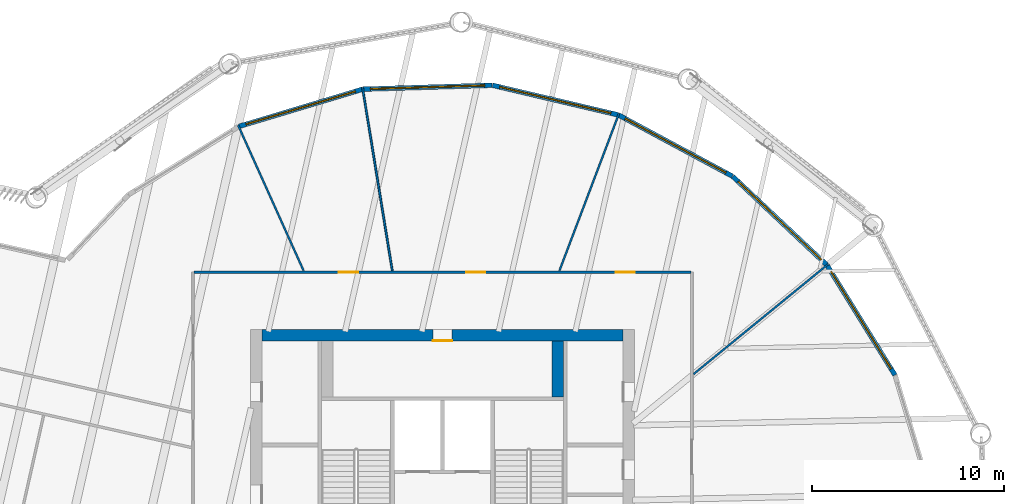
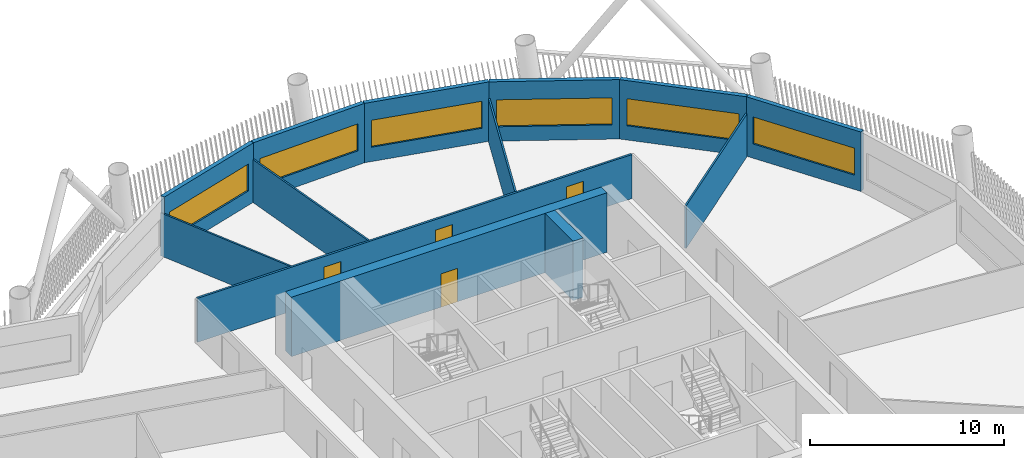
# One storey, part 7 of 23: 13 walls, 6 windows, 4 doors, 10 openings.
"""IFC4 building model written with IfcOpenShell, lengths in metres."""

from ifc_helpers import new_model, si_unit, direction, frame, frame_2d, origin, place, context, subcontext, project, spatial, rectangle, extrude, material, layer, layer_set, type_object, element, fill, save


model = new_model("IFC4")

# Units and contexts
model_context = context("Model", 3, precision=1e-05, world=origin(), true_north=direction((0.0, 1.0)))
body_context = subcontext(model_context, "Body", "Model", "MODEL_VIEW")
ifc_project = project(units=[si_unit("LENGTHUNIT", "METRE"), si_unit("AREAUNIT", "SQUARE_METRE"), si_unit("VOLUMEUNIT", "CUBIC_METRE"), si_unit("PLANEANGLEUNIT", "RADIAN"), si_unit("MASSUNIT", "GRAM", prefix="KILO")], contexts=[model_context])

# Site, building, storey
site_placement = place(None, origin())
site = spatial("IfcSite", under=ifc_project, at=site_placement, CompositionType="ELEMENT")
building_placement = place(site_placement, origin())
building = spatial("IfcBuilding", under=site, at=building_placement, Name="Tarsis Ring Headquarters", CompositionType="ELEMENT")
storey_placement = place(building_placement, frame((0.0, 0.0, 231.60009765625)))
storey = spatial("IfcBuildingStorey", under=building, at=storey_placement, Name="L54", CompositionType="ELEMENT", Elevation=231.60009765625)

# Wall, opening, door
ifc_material_1 = material(Name="Concrete C50/60", Category="concrete")
ifc_layer_1 = layer(ifc_material_1, 0.60009765625)
ifc_layer_set_1 = layer_set([ifc_layer_1], Name="Core wall 600 C50/60")
wall_type_1 = type_object("IfcWallType", Name="Core wall 600 C50/60", PredefinedType="SHEAR", material=ifc_layer_set_1)
wall_1_placement = place(storey_placement, frame((-9.39990234375, 12.699951171875, 0.0), z_axis=(0.0, 0.0, 1.0), x_axis=(1.0, 0.0, 0.0)))
wall_1 = element("IfcWall", 1, at=wall_1_placement, inside=storey, type_object=wall_type_1, Name="Core wall ON", PredefinedType="SHEAR", context=body_context, shape_type="SweptSolid", body=[
    extrude(rectangle(XDim=18.7998046875, YDim=0.60009765625, at=frame_2d((9.39990234375, 0.0))), origin(), (0.0, 0.0, 1.0), 3.739990234375),
])
opening_1_placement = place(wall_1_placement, frame((8.89990234375, 0.0, 0.0)))
opening_1 = element("IfcOpeningElement", 2, at=opening_1_placement, cuts=wall_1, Name="Opening L54-C15", PredefinedType="OPENING", context=body_context, shape_type="SweptSolid", body=[
    extrude(rectangle(XDim=1.0, YDim=2.10009765625, at=frame_2d((0.5, 1.050048828125))), frame((0.0, 0.31005859375, 0.0), z_axis=(0.0, -1.0, 0.0), x_axis=(1.0, 0.0, 0.0)), (0.0, 0.0, 1.0), 0.6201171875),
])
ifc_material_2 = material(Name="Steel S355", Category="steel")
door_type_1 = type_object("IfcDoorType", Name="Core room door 1000x2100", OperationType="SINGLE_SWING_LEFT", PredefinedType="DOOR", material=ifc_material_2)
door_1_placement = place(opening_1_placement, origin())
door_1 = element("IfcDoor", 3, at=door_1_placement, inside=storey, type_object=door_type_1, Name="Core room door L54", OperationType="SINGLE_SWING_LEFT", OverallHeight=2.10009765625, OverallWidth=1.0, PredefinedType="DOOR", context=body_context, shape_type="SweptSolid", body=[
    extrude(rectangle(XDim=1.0, YDim=2.10009765625, at=frame_2d((0.5, 1.050048828125))), frame((0.0, -0.25, 0.0), z_axis=(0.0, -1.0, 0.0), x_axis=(1.0, 0.0, 0.0)), (0.0, 0.0, 1.0), 0.050048828125),
])
fill(opening_1, door_1)

# Walls
ifc_material_3 = material(Name="Gypsum board on steel studs", Category="steel")
ifc_layer_2 = layer(ifc_material_3, 0.10009765625)
ifc_layer_set_2 = layer_set([ifc_layer_2], Name="FL partition 100 unrated")
wall_type_2 = type_object("IfcWallType", Name="FL partition 100 unrated", PredefinedType="PARTITIONING", material=ifc_layer_set_2)
wall_2_placement = place(storey_placement, frame((-4.16650390625, 25.611083984375, 0.0), z_axis=(0.0, 0.0, 1.0), x_axis=(0.16058920883, -0.987021330067, 0.0)))
element("IfcWall", 4, at=wall_2_placement, inside=storey, type_object=wall_type_2, Name="Partition PW3", PredefinedType="PARTITIONING", context=body_context, shape_type="SweptSolid", body=[
    extrude(rectangle(XDim=9.66748046875, YDim=0.10009765625, at=frame_2d((4.833740234375, 0.0))), origin(), (0.0, 0.0, 1.0), 2.699951171875),
])
wall_3_placement = place(storey_placement, frame((13.085205078125, 10.687255859375, 0.0), z_axis=(0.0, 0.0, 1.0), x_axis=(0.774503720395, 0.632569353584, 0.0)))
element("IfcWall", 5, at=wall_3_placement, inside=storey, type_object=wall_type_2, Name="Partition PW3", PredefinedType="PARTITIONING", context=body_context, shape_type="SweptSolid", body=[
    extrude(rectangle(XDim=9.052978515625, YDim=0.10009765625, at=frame_2d((4.5263671875, 0.0))), origin(), (0.0, 0.0, 1.0), 2.699951171875),
])
wall_4_placement = place(storey_placement, frame((6.093505859375, 16.07470703125, 0.0), z_axis=(0.0, 0.0, 1.0), x_axis=(0.354433187195, 0.935081341817, 0.0)))
element("IfcWall", 6, at=wall_4_placement, inside=storey, type_object=wall_type_2, Name="Partition PW3", PredefinedType="PARTITIONING", context=body_context, shape_type="SweptSolid", body=[
    extrude(rectangle(XDim=8.757080078125, YDim=0.10009765625, at=frame_2d((4.37841796875, 0.0))), origin(), (0.0, 0.0, 1.0), 2.699951171875),
])
wall_5_placement = place(storey_placement, frame((-10.653076171875, 23.66015625, 0.0), z_axis=(0.0, 0.0, 1.0), x_axis=(0.410544011463, -0.911840783608, 0.0)))
element("IfcWall", 7, at=wall_5_placement, inside=storey, type_object=wall_type_2, Name="Partition PW3", PredefinedType="PARTITIONING", context=body_context, shape_type="SweptSolid", body=[
    extrude(rectangle(XDim=8.32080078125, YDim=0.10009765625, at=frame_2d((4.160400390625, 0.0))), origin(), (0.0, 0.0, 1.0), 2.699951171875),
])

# Wall, openings, doors
ifc_layer_3 = layer(ifc_material_3, 0.125)
ifc_layer_set_3 = layer_set([ifc_layer_3], Name="FL partition 125 EI 60 H2770")
wall_type_3 = type_object("IfcWallType", Name="FL partition 125 EI 60 H2770", PredefinedType="PARTITIONING", material=ifc_layer_set_3)
wall_6_placement = place(storey_placement, frame((-12.93994140625, 16.0, 0.0), z_axis=(0.0, 0.0, 1.0), x_axis=(1.0, 0.0, 0.0)))
wall_6 = element("IfcWall", 8, at=wall_6_placement, inside=storey, type_object=wall_type_3, Name="Partition PW1", PredefinedType="PARTITIONING", context=body_context, shape_type="SweptSolid", body=[
    extrude(rectangle(XDim=25.8798828125, YDim=0.125, at=frame_2d((12.93994140625, 0.0))), origin(), (0.0, 0.0, 1.0), 2.77001953125),
])
opening_2_placement = place(wall_6_placement, frame((7.53662109375, 0.0, 0.0)))
opening_2 = element("IfcOpeningElement", 9, at=opening_2_placement, cuts=wall_6, Name="Opening D54.04", PredefinedType="OPENING", context=body_context, shape_type="SweptSolid", body=[
    extrude(rectangle(XDim=1.0, YDim=2.10009765625, at=frame_2d((0.5, 1.050048828125))), frame((0.0, 0.072509765625, 0.0), z_axis=(0.0, -1.0, 0.0), x_axis=(1.0, 0.0, 0.0)), (0.0, 0.0, 1.0), 0.14501953125),
])
opening_3_placement = place(wall_6_placement, frame((14.171142578125, 0.0, 0.0)))
opening_3 = element("IfcOpeningElement", 10, at=opening_3_placement, cuts=wall_6, Name="Opening D54.05", PredefinedType="OPENING", context=body_context, shape_type="SweptSolid", body=[
    extrude(rectangle(XDim=1.0, YDim=2.10009765625, at=frame_2d((0.5, 1.050048828125))), frame((0.0, 0.072509765625, 0.0), z_axis=(0.0, -1.0, 0.0), x_axis=(1.0, 0.0, 0.0)), (0.0, 0.0, 1.0), 0.14501953125),
])
opening_4_placement = place(wall_6_placement, frame((21.972412109375, 0.0, 0.0)))
opening_4 = element("IfcOpeningElement", 11, at=opening_4_placement, cuts=wall_6, Name="Opening D54.06", PredefinedType="OPENING", context=body_context, shape_type="SweptSolid", body=[
    extrude(rectangle(XDim=1.0, YDim=2.10009765625, at=frame_2d((0.5, 1.050048828125))), frame((0.0, 0.072509765625, 0.0), z_axis=(0.0, -1.0, 0.0), x_axis=(1.0, 0.0, 0.0)), (0.0, 0.0, 1.0), 0.14501953125),
])
ifc_material_4 = material(Name="Fire-rated timber door leaf in steel frame", Category="steel")
door_type_2 = type_object("IfcDoorType", Name="FL door FD60-1000", OperationType="NOTDEFINED", PredefinedType="DOOR", material=ifc_material_4)
door_2_placement = place(opening_2_placement, origin())
door_2 = element("IfcDoor", 12, at=door_2_placement, inside=storey, type_object=door_type_2, Name="Door D54.04", OperationType="SINGLE_SWING_RIGHT", OverallHeight=2.10009765625, OverallWidth=1.0, PredefinedType="DOOR", context=body_context, shape_type="SweptSolid", body=[
    extrude(rectangle(XDim=1.0, YDim=2.10009765625, at=frame_2d((0.5, 1.050048828125))), frame((0.0, 0.02490234375, 0.0), z_axis=(0.0, -1.0, 0.0), x_axis=(1.0, 0.0, 0.0)), (0.0, 0.0, 1.0), 0.050048828125),
])
fill(opening_2, door_2)
door_3_placement = place(opening_3_placement, origin())
door_3 = element("IfcDoor", 13, at=door_3_placement, inside=storey, type_object=door_type_2, Name="Door D54.05", OperationType="SINGLE_SWING_LEFT", OverallHeight=2.10009765625, OverallWidth=1.0, PredefinedType="DOOR", context=body_context, shape_type="SweptSolid", body=[
    extrude(rectangle(XDim=1.0, YDim=2.10009765625, at=frame_2d((0.5, 1.050048828125))), frame((0.0, 0.02490234375, 0.0), z_axis=(0.0, -1.0, 0.0), x_axis=(1.0, 0.0, 0.0)), (0.0, 0.0, 1.0), 0.050048828125),
])
fill(opening_3, door_3)
door_4_placement = place(opening_4_placement, origin())
door_4 = element("IfcDoor", 14, at=door_4_placement, inside=storey, type_object=door_type_2, Name="Door D54.06", OperationType="SINGLE_SWING_RIGHT", OverallHeight=2.10009765625, OverallWidth=1.0, PredefinedType="DOOR", context=body_context, shape_type="SweptSolid", body=[
    extrude(rectangle(XDim=1.0, YDim=2.10009765625, at=frame_2d((0.5, 1.050048828125))), frame((0.0, 0.02490234375, 0.0), z_axis=(0.0, -1.0, 0.0), x_axis=(1.0, 0.0, 0.0)), (0.0, 0.0, 1.0), 0.050048828125),
])
fill(opening_4, door_4)

# Wall, opening, window
ifc_material_5 = material(Name="Terracotta clad insulated panel wall", Category="masonry")
ifc_layer_4 = layer(ifc_material_5, 0.25)
ifc_layer_set_4 = layer_set([ifc_layer_4], Name="Facade wall terracotta panel 250")
wall_type_4 = type_object("IfcWallType", Name="Facade wall terracotta panel 250", PredefinedType="STANDARD", material=ifc_layer_set_4)
wall_7_placement = place(storey_placement, frame((23.583984375, 10.63671875, 0.0), z_axis=(0.0, 0.0, 1.0), x_axis=(-0.526055727064, 0.850450099667, 0.0)))
wall_7 = element("IfcWall", 15, at=wall_7_placement, inside=storey, type_object=wall_type_4, Name="External wall L54-23", PredefinedType="STANDARD", context=body_context, shape_type="SweptSolid", body=[
    extrude(rectangle(XDim=6.721435546875, YDim=0.25, at=frame_2d((3.36083984375, 0.0))), origin(), (0.0, 0.0, 1.0), 3.739990234375),
])
opening_5_placement = place(wall_7_placement, frame((0.3857421875, 0.0, 0.89990234375)))
opening_5 = element("IfcOpeningElement", 16, at=opening_5_placement, cuts=wall_7, Name="Opening WN07", PredefinedType="OPENING", context=body_context, shape_type="SweptSolid", body=[
    extrude(rectangle(XDim=5.949951171875, YDim=1.699951171875, at=frame_2d((2.97509765625, 0.85009765625))), frame((0.0, 0.135009765625, 0.0), z_axis=(0.0, -1.0, 0.0), x_axis=(1.0, 0.0, 0.0)), (0.0, 0.0, 1.0), 0.27001953125),
])
ifc_material_6 = material(Name="Aluminium framed double glazing", Category="aluminium")
window_type = type_object("IfcWindowType", Name="Facade window 5950 x 1700", PartitioningType="SINGLE_PANEL", PredefinedType="WINDOW", material=ifc_material_6)
window_1_placement = place(opening_5_placement, origin())
window_1 = element("IfcWindow", 17, at=window_1_placement, inside=storey, type_object=window_type, Name="Window L54-23.1", OverallHeight=1.699951171875, OverallWidth=5.949951171875, PartitioningType="SINGLE_PANEL", PredefinedType="WINDOW", context=body_context, shape_type="SweptSolid", body=[
    extrude(rectangle(XDim=5.949951171875, YDim=1.699951171875, at=frame_2d((2.97509765625, 0.85009765625))), frame((0.0, 0.030029296875, 0.0), z_axis=(0.0, -1.0, 0.0), x_axis=(1.0, 0.0, 0.0)), (0.0, 0.0, 1.0), 0.06005859375),
])
fill(opening_5, window_1)

wall_8_placement = place(storey_placement, frame((20.02734375, 16.37841796875, 0.0), z_axis=(0.0, 0.0, 1.0), x_axis=(-0.728247977794, 0.685313711259, 0.0)))
wall_8 = element("IfcWall", 18, at=wall_8_placement, inside=storey, type_object=wall_type_4, Name="External wall L54-24", PredefinedType="STANDARD", context=body_context, shape_type="SweptSolid", body=[
    extrude(rectangle(XDim=6.72119140625, YDim=0.25, at=frame_2d((3.360595703125, 0.0))), origin(), (0.0, 0.0, 1.0), 3.739990234375),
])
opening_6_placement = place(wall_8_placement, frame((0.3857421875, 0.0, 0.89990234375)))
opening_6 = element("IfcOpeningElement", 19, at=opening_6_placement, cuts=wall_8, Name="Opening WN07", PredefinedType="OPENING", context=body_context, shape_type="SweptSolid", body=[
    extrude(rectangle(XDim=5.949951171875, YDim=1.699951171875, at=frame_2d((2.97509765625, 0.85009765625))), frame((0.0, 0.135009765625, 0.0), z_axis=(0.0, -1.0, 0.0), x_axis=(1.0, 0.0, 0.0)), (0.0, 0.0, 1.0), 0.27001953125),
])
window_2_placement = place(opening_6_placement, origin())
window_2 = element("IfcWindow", 20, at=window_2_placement, inside=storey, type_object=window_type, Name="Window L54-24.1", OverallHeight=1.699951171875, OverallWidth=5.949951171875, PartitioningType="SINGLE_PANEL", PredefinedType="WINDOW", context=body_context, shape_type="SweptSolid", body=[
    extrude(rectangle(XDim=5.949951171875, YDim=1.699951171875, at=frame_2d((2.97509765625, 0.85009765625))), frame((0.0, 0.030029296875, 0.0), z_axis=(0.0, -1.0, 0.0), x_axis=(1.0, 0.0, 0.0)), (0.0, 0.0, 1.0), 0.06005859375),
])
fill(opening_6, window_2)

wall_9_placement = place(storey_placement, frame((15.10595703125, 21.003662109375, 0.0), z_axis=(0.0, 0.0, 1.0), x_axis=(-0.880799782179, 0.473488905587, 0.0)))
wall_9 = element("IfcWall", 21, at=wall_9_placement, inside=storey, type_object=wall_type_4, Name="External wall L54-25", PredefinedType="STANDARD", context=body_context, shape_type="SweptSolid", body=[
    extrude(rectangle(XDim=6.7216796875, YDim=0.25, at=frame_2d((3.36083984375, 0.0))), origin(), (0.0, 0.0, 1.0), 3.739990234375),
])
opening_7_placement = place(wall_9_placement, frame((0.3857421875, 0.0, 0.89990234375)))
opening_7 = element("IfcOpeningElement", 22, at=opening_7_placement, cuts=wall_9, Name="Opening WN07", PredefinedType="OPENING", context=body_context, shape_type="SweptSolid", body=[
    extrude(rectangle(XDim=5.949951171875, YDim=1.699951171875, at=frame_2d((2.97509765625, 0.85009765625))), frame((0.0, 0.135009765625, 0.0), z_axis=(0.0, -1.0, 0.0), x_axis=(1.0, 0.0, 0.0)), (0.0, 0.0, 1.0), 0.27001953125),
])
window_3_placement = place(opening_7_placement, origin())
window_3 = element("IfcWindow", 23, at=window_3_placement, inside=storey, type_object=window_type, Name="Window L54-25.1", OverallHeight=1.699951171875, OverallWidth=5.949951171875, PartitioningType="SINGLE_PANEL", PredefinedType="WINDOW", context=body_context, shape_type="SweptSolid", body=[
    extrude(rectangle(XDim=5.949951171875, YDim=1.699951171875, at=frame_2d((2.97509765625, 0.85009765625))), frame((0.0, 0.030029296875, 0.0), z_axis=(0.0, -1.0, 0.0), x_axis=(1.0, 0.0, 0.0)), (0.0, 0.0, 1.0), 0.06005859375),
])
fill(opening_7, window_3)

wall_10_placement = place(storey_placement, frame((9.155029296875, 24.19775390625, 0.0), z_axis=(0.0, 0.0, 1.0), x_axis=(-0.9733375571, 0.22937741811, 0.0)))
wall_10 = element("IfcWall", 24, at=wall_10_placement, inside=storey, type_object=wall_type_4, Name="External wall L54-26", PredefinedType="STANDARD", context=body_context, shape_type="SweptSolid", body=[
    extrude(rectangle(XDim=6.721435546875, YDim=0.25, at=frame_2d((3.36083984375, 0.0))), origin(), (0.0, 0.0, 1.0), 3.739990234375),
])
opening_8_placement = place(wall_10_placement, frame((0.3857421875, 0.0, 0.89990234375)))
opening_8 = element("IfcOpeningElement", 25, at=opening_8_placement, cuts=wall_10, Name="Opening WN07", PredefinedType="OPENING", context=body_context, shape_type="SweptSolid", body=[
    extrude(rectangle(XDim=5.949951171875, YDim=1.699951171875, at=frame_2d((2.97509765625, 0.85009765625))), frame((0.0, 0.135009765625, 0.0), z_axis=(0.0, -1.0, 0.0), x_axis=(1.0, 0.0, 0.0)), (0.0, 0.0, 1.0), 0.27001953125),
])
window_4_placement = place(opening_8_placement, origin())
window_4 = element("IfcWindow", 26, at=window_4_placement, inside=storey, type_object=window_type, Name="Window L54-26.1", OverallHeight=1.699951171875, OverallWidth=5.949951171875, PartitioningType="SINGLE_PANEL", PredefinedType="WINDOW", context=body_context, shape_type="SweptSolid", body=[
    extrude(rectangle(XDim=5.949951171875, YDim=1.699951171875, at=frame_2d((2.97509765625, 0.85009765625))), frame((0.0, 0.030029296875, 0.0), z_axis=(0.0, -1.0, 0.0), x_axis=(1.0, 0.0, 0.0)), (0.0, 0.0, 1.0), 0.06005859375),
])
fill(opening_8, window_4)

wall_11_placement = place(storey_placement, frame((2.580322265625, 25.74267578125, 0.0), z_axis=(0.0, 0.0, 1.0), x_axis=(-0.999538876997, -0.030365002405, 0.0)))
wall_11 = element("IfcWall", 27, at=wall_11_placement, inside=storey, type_object=wall_type_4, Name="External wall L54-27", PredefinedType="STANDARD", context=body_context, shape_type="SweptSolid", body=[
    extrude(rectangle(XDim=6.7216796875, YDim=0.25, at=frame_2d((3.36083984375, 0.0))), origin(), (0.0, 0.0, 1.0), 3.739990234375),
])
opening_9_placement = place(wall_11_placement, frame((0.3857421875, 0.0, 0.89990234375)))
opening_9 = element("IfcOpeningElement", 28, at=opening_9_placement, cuts=wall_11, Name="Opening WN07", PredefinedType="OPENING", context=body_context, shape_type="SweptSolid", body=[
    extrude(rectangle(XDim=5.949951171875, YDim=1.699951171875, at=frame_2d((2.97509765625, 0.85009765625))), frame((0.0, 0.135009765625, 0.0), z_axis=(0.0, -1.0, 0.0), x_axis=(1.0, 0.0, 0.0)), (0.0, 0.0, 1.0), 0.27001953125),
])
window_5_placement = place(opening_9_placement, origin())
window_5 = element("IfcWindow", 29, at=window_5_placement, inside=storey, type_object=window_type, Name="Window L54-27.1", OverallHeight=1.699951171875, OverallWidth=5.949951171875, PartitioningType="SINGLE_PANEL", PredefinedType="WINDOW", context=body_context, shape_type="SweptSolid", body=[
    extrude(rectangle(XDim=5.949951171875, YDim=1.699951171875, at=frame_2d((2.97509765625, 0.85009765625))), frame((0.0, 0.030029296875, 0.0), z_axis=(0.0, -1.0, 0.0), x_axis=(1.0, 0.0, 0.0)), (0.0, 0.0, 1.0), 0.06005859375),
])
fill(opening_9, window_5)

wall_12_placement = place(storey_placement, frame((-4.17041015625, 25.533447265625, 0.0), z_axis=(0.0, 0.0, 1.0), x_axis=(-0.957618093903, -0.288040945405, 0.0)))
wall_12 = element("IfcWall", 30, at=wall_12_placement, inside=storey, type_object=wall_type_4, Name="External wall L54-28", PredefinedType="STANDARD", context=body_context, shape_type="SweptSolid", body=[
    extrude(rectangle(XDim=6.721435546875, YDim=0.25, at=frame_2d((3.36083984375, 0.0))), origin(), (0.0, 0.0, 1.0), 3.739990234375),
])
opening_10_placement = place(wall_12_placement, frame((0.3857421875, 0.0, 0.89990234375)))
opening_10 = element("IfcOpeningElement", 31, at=opening_10_placement, cuts=wall_12, Name="Opening WN07", PredefinedType="OPENING", context=body_context, shape_type="SweptSolid", body=[
    extrude(rectangle(XDim=5.949951171875, YDim=1.699951171875, at=frame_2d((2.97509765625, 0.85009765625))), frame((0.0, 0.135009765625, 0.0), z_axis=(0.0, -1.0, 0.0), x_axis=(1.0, 0.0, 0.0)), (0.0, 0.0, 1.0), 0.27001953125),
])
window_6_placement = place(opening_10_placement, origin())
window_6 = element("IfcWindow", 32, at=window_6_placement, inside=storey, type_object=window_type, Name="Window L54-28.1", OverallHeight=1.699951171875, OverallWidth=5.949951171875, PartitioningType="SINGLE_PANEL", PredefinedType="WINDOW", context=body_context, shape_type="SweptSolid", body=[
    extrude(rectangle(XDim=5.949951171875, YDim=1.699951171875, at=frame_2d((2.97509765625, 0.85009765625))), frame((0.0, 0.030029296875, 0.0), z_axis=(0.0, -1.0, 0.0), x_axis=(1.0, 0.0, 0.0)), (0.0, 0.0, 1.0), 0.06005859375),
])
fill(opening_10, window_6)

# Wall
ifc_material_7 = material(Name="Concrete C32/40", Category="concrete")
ifc_layer_5 = layer(ifc_material_7, 0.60009765625)
ifc_layer_set_5 = layer_set([ifc_layer_5], Name="Shaft end wall 600 C32/40")
wall_type_5 = type_object("IfcWallType", Name="Shaft end wall 600 C32/40", PredefinedType="SOLIDWALL", material=ifc_layer_set_5)
wall_13_placement = place(storey_placement, frame((6.0, 9.5, 0.0), z_axis=(0.0, 0.0, 1.0), x_axis=(0.0, 1.0, 0.0)))
element("IfcWall", 33, at=wall_13_placement, inside=storey, type_object=wall_type_5, Name="Core shaft wall NNE2", PredefinedType="SOLIDWALL", context=body_context, shape_type="SweptSolid", body=[
    extrude(rectangle(XDim=2.89990234375, YDim=0.60009765625, at=frame_2d((1.449951171875, 0.0))), origin(), (0.0, 0.0, 1.0), 3.739990234375),
])

save(model, "model.ifc")
